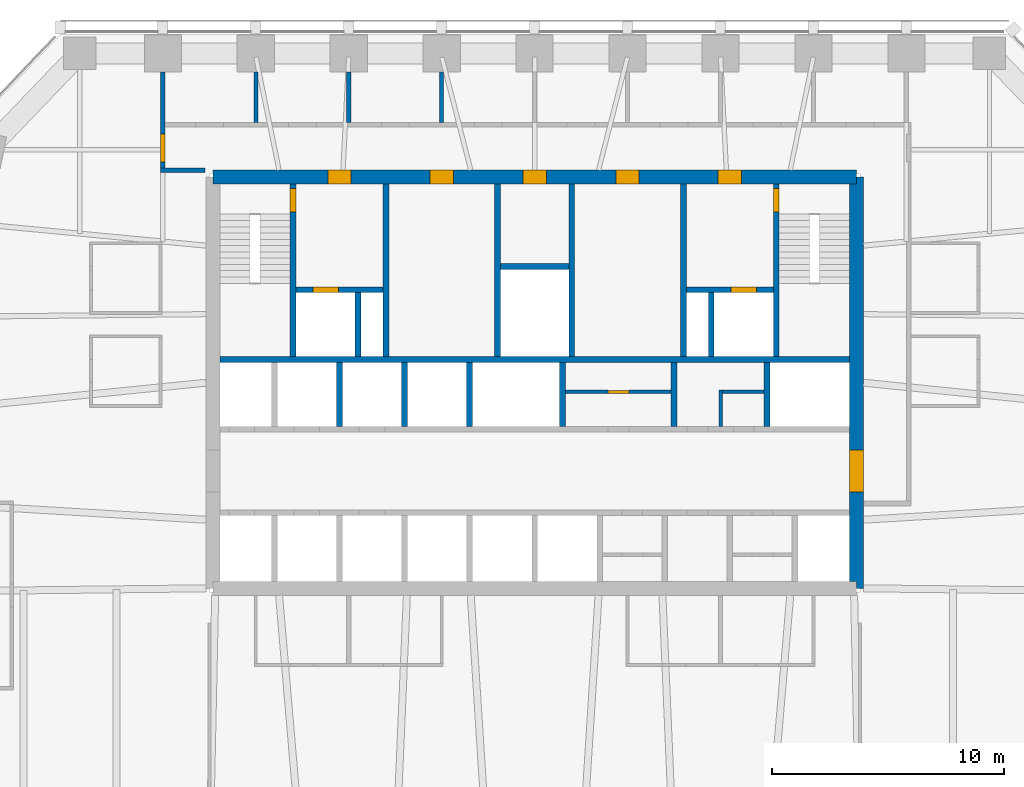
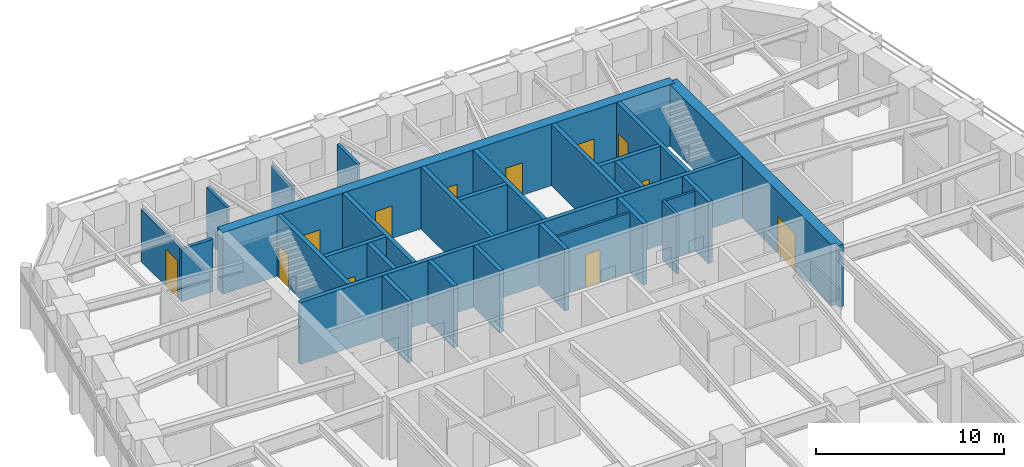
# One storey, part 7 of 10: 28 walls, 12 doors, 12 openings.
"""IFC4 building model written with IfcOpenShell, lengths in metres."""

from ifc_helpers import new_model, si_unit, direction, frame, frame_2d, origin, place, context, subcontext, project, spatial, polyline, rectangle, outline, extrude, material, layer, layer_set, type_object, element, fill, save


model = new_model("IFC4")

# Units and contexts
model_context = context("Model", 3, precision=1e-05, world=origin(), true_north=direction((0.0, 1.0)))
body_context = subcontext(model_context, "Body", "Model", "MODEL_VIEW")
ifc_project = project(units=[si_unit("LENGTHUNIT", "METRE"), si_unit("AREAUNIT", "SQUARE_METRE"), si_unit("VOLUMEUNIT", "CUBIC_METRE"), si_unit("PLANEANGLEUNIT", "RADIAN"), si_unit("MASSUNIT", "GRAM", prefix="KILO")], contexts=[model_context])

# Site, building, storey
site_placement = place(None, origin())
site = spatial("IfcSite", under=ifc_project, at=site_placement, CompositionType="ELEMENT")
building_placement = place(site_placement, origin())
building = spatial("IfcBuilding", under=site, at=building_placement, Name="Isbrekke Arena Tower", CompositionType="ELEMENT")
storey_placement = place(building_placement, frame((0.0, 0.0, 214.0)))
storey = spatial("IfcBuildingStorey", under=building, at=storey_placement, Name="L49", CompositionType="ELEMENT", Elevation=214.0)

# Wall, opening, door
ifc_material_1 = material(Name="Concrete B55 (C55/67)", Category="concrete")
ifc_layer_1 = layer(ifc_material_1, 0.60009765625)
ifc_layer_set_1 = layer_set([ifc_layer_1], Name="CW4 CORE WALL 600")
wall_type_1 = type_object("IfcWallType", Name="CW4 CORE WALL 600", PredefinedType="SHEAR", material=ifc_layer_set_1)
wall_1_placement = place(storey_placement, frame((13.85009765625, 6.14990234375, 0.0), z_axis=(0.0, 0.0, 1.0), x_axis=(0.0, 1.0, 0.0)))
wall_1 = element("IfcWall", 1, at=wall_1_placement, inside=storey, type_object=wall_type_1, Name="Core wall E L49", PredefinedType="SHEAR", context=body_context, shape_type="SweptSolid", body=[
    extrude(outline(polyline([(0.0, -0.300048828125), (17.7001953125, -0.300048828125), (17.7001953125, 0.0), (17.400146484375, 0.0), (17.400146484375, 0.300048828125), (0.300048828125, 0.300048828125), (0.300048828125, 0.0), (0.0, 0.0), (0.0, -0.300048828125)])), origin(), (0.0, 0.0, 1.0), 4.0),
])
opening_1_placement = place(wall_1_placement, frame((4.14990234375, 0.0, 0.0)))
opening_1 = element("IfcOpeningElement", 2, at=opening_1_placement, cuts=wall_1, Name="Opening D1", PredefinedType="OPENING", context=body_context, shape_type="SweptSolid", body=[
    extrude(rectangle(XDim=1.800048828125, YDim=2.39990234375, at=frame_2d((0.89990234375, 1.199951171875))), frame((0.0, 0.31494140625, 0.0), z_axis=(0.0, -1.0, 0.0), x_axis=(1.0, 0.0, 0.0)), (0.0, 0.0, 1.0), 0.6298828125),
])
ifc_material_2 = material(Name="Steel-framed glazed fire door", Category="steel")
door_type_1 = type_object("IfcDoorType", Name="D1 CORE LOBBY DOOR 1800 x 2400", OperationType="DOUBLE_DOOR_SINGLE_SWING", PredefinedType="DOOR", material=ifc_material_2)
door_1_placement = place(opening_1_placement, origin())
door_1 = element("IfcDoor", 3, at=door_1_placement, inside=storey, type_object=door_type_1, Name="D1 lift lobby door east L49", OperationType="DOUBLE_DOOR_SINGLE_SWING", OverallHeight=2.39990234375, OverallWidth=1.800048828125, PredefinedType="DOOR", context=body_context, shape_type="SweptSolid", body=[
    extrude(rectangle(XDim=1.800048828125, YDim=2.39990234375, at=frame_2d((0.89990234375, 1.199951171875))), frame((0.0, 0.2998046875, 0.0), z_axis=(0.0, -1.0, 0.0), x_axis=(1.0, 0.0, 0.0)), (0.0, 0.0, 1.0), 0.599609375),
])
fill(opening_1, door_1)

# Wall, openings, doors
wall_2_placement = place(storey_placement, frame((13.85009765625, 23.85009765625, 0.0), z_axis=(0.0, 0.0, 1.0), x_axis=(-1.0, 0.0, 0.0)))
wall_2 = element("IfcWall", 4, at=wall_2_placement, inside=storey, type_object=wall_type_1, Name="Core wall N L49", PredefinedType="SHEAR", context=body_context, shape_type="SweptSolid", body=[
    extrude(rectangle(XDim=27.7001953125, YDim=0.60009765625, at=frame_2d((13.85009765625, 0.0))), origin(), (0.0, 0.0, 1.0), 4.0),
])
opening_2_placement = place(wall_2_placement, frame((21.75, 0.0, 0.0)))
opening_2 = element("IfcOpeningElement", 5, at=opening_2_placement, cuts=wall_2, Name="Opening D3", PredefinedType="OPENING", context=body_context, shape_type="SweptSolid", body=[
    extrude(rectangle(XDim=1.0, YDim=2.10009765625, at=frame_2d((0.5, 1.050048828125))), frame((0.0, 0.31494140625, 0.0), z_axis=(0.0, -1.0, 0.0), x_axis=(1.0, 0.0, 0.0)), (0.0, 0.0, 1.0), 0.6298828125),
])
opening_3_placement = place(wall_2_placement, frame((4.949951171875, 0.0, 0.0)))
opening_3 = element("IfcOpeningElement", 6, at=opening_3_placement, cuts=wall_2, Name="Opening D3", PredefinedType="OPENING", context=body_context, shape_type="SweptSolid", body=[
    extrude(rectangle(XDim=1.0, YDim=2.10009765625, at=frame_2d((0.5, 1.050048828125))), frame((0.0, 0.31494140625, 0.0), z_axis=(0.0, -1.0, 0.0), x_axis=(1.0, 0.0, 0.0)), (0.0, 0.0, 1.0), 0.6298828125),
])
opening_4_placement = place(wall_2_placement, frame((17.35009765625, 0.0, 0.0)))
opening_4 = element("IfcOpeningElement", 7, at=opening_4_placement, cuts=wall_2, Name="Opening D4", PredefinedType="OPENING", context=body_context, shape_type="SweptSolid", body=[
    extrude(rectangle(XDim=1.0, YDim=2.10009765625, at=frame_2d((0.5, 1.050048828125))), frame((0.0, 0.31494140625, 0.0), z_axis=(0.0, -1.0, 0.0), x_axis=(1.0, 0.0, 0.0)), (0.0, 0.0, 1.0), 0.6298828125),
])
opening_5_placement = place(wall_2_placement, frame((13.35009765625, 0.0, 0.0)))
opening_5 = element("IfcOpeningElement", 8, at=opening_5_placement, cuts=wall_2, Name="Opening D4", PredefinedType="OPENING", context=body_context, shape_type="SweptSolid", body=[
    extrude(rectangle(XDim=1.0, YDim=2.10009765625, at=frame_2d((0.5, 1.050048828125))), frame((0.0, 0.31494140625, 0.0), z_axis=(0.0, -1.0, 0.0), x_axis=(1.0, 0.0, 0.0)), (0.0, 0.0, 1.0), 0.6298828125),
])
opening_6_placement = place(wall_2_placement, frame((9.35009765625, 0.0, 0.0)))
opening_6 = element("IfcOpeningElement", 9, at=opening_6_placement, cuts=wall_2, Name="Opening D4", PredefinedType="OPENING", context=body_context, shape_type="SweptSolid", body=[
    extrude(rectangle(XDim=1.0, YDim=2.10009765625, at=frame_2d((0.5, 1.050048828125))), frame((0.0, 0.31494140625, 0.0), z_axis=(0.0, -1.0, 0.0), x_axis=(1.0, 0.0, 0.0)), (0.0, 0.0, 1.0), 0.6298828125),
])
ifc_material_3 = material(Name="Steel fire door", Category="steel")
door_type_2 = type_object("IfcDoorType", Name="D3 FIRE LOBBY DOOR 1000 x 2100", OperationType="SINGLE_SWING_RIGHT", PredefinedType="DOOR", material=ifc_material_3)
door_2_placement = place(opening_2_placement, origin())
door_2 = element("IfcDoor", 10, at=door_2_placement, inside=storey, type_object=door_type_2, Name="D3 fire-fighting lobby door L49", OperationType="SINGLE_SWING_RIGHT", OverallHeight=2.10009765625, OverallWidth=1.0, PredefinedType="DOOR", context=body_context, shape_type="SweptSolid", body=[
    extrude(rectangle(XDim=1.0, YDim=2.10009765625, at=frame_2d((0.5, 1.050048828125))), frame((0.0, 0.2998046875, 0.0), z_axis=(0.0, -1.0, 0.0), x_axis=(1.0, 0.0, 0.0)), (0.0, 0.0, 1.0), 0.599609375),
])
fill(opening_2, door_2)
door_3_placement = place(opening_3_placement, origin())
door_3 = element("IfcDoor", 11, at=door_3_placement, inside=storey, type_object=door_type_2, Name="D3 fire-fighting lobby door L49", OperationType="SINGLE_SWING_RIGHT", OverallHeight=2.10009765625, OverallWidth=1.0, PredefinedType="DOOR", context=body_context, shape_type="SweptSolid", body=[
    extrude(rectangle(XDim=1.0, YDim=2.10009765625, at=frame_2d((0.5, 1.050048828125))), frame((0.0, 0.2998046875, 0.0), z_axis=(0.0, -1.0, 0.0), x_axis=(1.0, 0.0, 0.0)), (0.0, 0.0, 1.0), 0.599609375),
])
fill(opening_3, door_3)
ifc_material_4 = material(Name="Timber door", Category="wood")
door_type_3 = type_object("IfcDoorType", Name="D4 WC DOOR 1000 x 2100", OperationType="SINGLE_SWING_LEFT", PredefinedType="DOOR", material=ifc_material_4)
door_4_placement = place(opening_4_placement, origin())
door_4 = element("IfcDoor", 12, at=door_4_placement, inside=storey, type_object=door_type_3, Name="D4 wc female door L49", OperationType="SINGLE_SWING_LEFT", OverallHeight=2.10009765625, OverallWidth=1.0, PredefinedType="DOOR", context=body_context, shape_type="SweptSolid", body=[
    extrude(rectangle(XDim=1.0, YDim=2.10009765625, at=frame_2d((0.5, 1.050048828125))), frame((0.0, 0.2998046875, 0.0), z_axis=(0.0, -1.0, 0.0), x_axis=(1.0, 0.0, 0.0)), (0.0, 0.0, 1.0), 0.599609375),
])
fill(opening_4, door_4)
door_5_placement = place(opening_5_placement, origin())
door_5 = element("IfcDoor", 13, at=door_5_placement, inside=storey, type_object=door_type_3, Name="D4 accessible wc door L49", OperationType="SINGLE_SWING_LEFT", OverallHeight=2.10009765625, OverallWidth=1.0, PredefinedType="DOOR", context=body_context, shape_type="SweptSolid", body=[
    extrude(rectangle(XDim=1.0, YDim=2.10009765625, at=frame_2d((0.5, 1.050048828125))), frame((0.0, 0.2998046875, 0.0), z_axis=(0.0, -1.0, 0.0), x_axis=(1.0, 0.0, 0.0)), (0.0, 0.0, 1.0), 0.599609375),
])
fill(opening_5, door_5)
door_6_placement = place(opening_6_placement, origin())
door_6 = element("IfcDoor", 14, at=door_6_placement, inside=storey, type_object=door_type_3, Name="D4 wc male door L49", OperationType="SINGLE_SWING_LEFT", OverallHeight=2.10009765625, OverallWidth=1.0, PredefinedType="DOOR", context=body_context, shape_type="SweptSolid", body=[
    extrude(rectangle(XDim=1.0, YDim=2.10009765625, at=frame_2d((0.5, 1.050048828125))), frame((0.0, 0.2998046875, 0.0), z_axis=(0.0, -1.0, 0.0), x_axis=(1.0, 0.0, 0.0)), (0.0, 0.0, 1.0), 0.599609375),
])
fill(opening_6, door_6)

# Walls
ifc_material_5 = material(Name="Concrete B45 (C45/55)", Category="concrete")
ifc_layer_2 = layer(ifc_material_5, 0.25)
ifc_layer_set_2 = layer_set([ifc_layer_2], Name="CW6 SHAFT WALL 250")
wall_type_2 = type_object("IfcWallType", Name="CW6 SHAFT WALL 250", PredefinedType="SHEAR", material=ifc_layer_set_2)
wall_3_placement = place(storey_placement, frame((-13.550048828125, 16.0, 0.0), z_axis=(0.0, 0.0, 1.0), x_axis=(1.0, 0.0, 0.0)))
element("IfcWall", 15, at=wall_3_placement, inside=storey, type_object=wall_type_2, Name="Core wall NB L49", PredefinedType="SHEAR", context=body_context, shape_type="SweptSolid", body=[
    extrude(rectangle(XDim=27.10009765625, YDim=0.25, at=frame_2d((13.550048828125, 0.0))), origin(), (0.0, 0.0, 1.0), 4.0),
])
for number, where, z_axis, x_axis, name in (
    (16, (-8.39990234375, 13.125, 0.0), (0.0, 0.0, 1.0), (0.0, 1.0, 0.0), "Core wall SN02 L49"),
    (17, (-5.60009765625, 13.125, 0.0), (0.0, 0.0, 1.0), (0.0, 1.0, 0.0), "Core wall SN03 L49"),
    (18, (-2.800048828125, 13.125, 0.0), (0.0, 0.0, 1.0), (0.0, 1.0, 0.0), "Core wall SN04 L49"),
    (19, (1.199951171875, 13.125, 0.0), (0.0, 0.0, 1.0), (0.0, 1.0, 0.0), "Core wall SN05 L49"),
    (20, (6.0, 13.125, 0.0), (0.0, 0.0, 1.0), (0.0, 1.0, 0.0), "Core wall SN06 L49"),
    (21, (10.0, 13.125, 0.0), (0.0, 0.0, 1.0), (0.0, 1.0, 0.0), "Core wall SN07 L49"),
):
    element("IfcWall", number, at=place(storey_placement, frame(where, z_axis=z_axis, x_axis=x_axis)), inside=storey, type_object=wall_type_2, Name=name, PredefinedType="SHEAR", context=body_context, shape_type="SweptSolid", body=[
        extrude(rectangle(XDim=2.75, YDim=0.25, at=frame_2d((1.375, 0.0))), origin(), (0.0, 0.0, 1.0), 4.0),
    ])

# Wall, opening, door
wall_4_placement = place(storey_placement, frame((-10.39990234375, 16.125, 0.0), z_axis=(0.0, 0.0, 1.0), x_axis=(0.0, 1.0, 0.0)))
wall_4 = element("IfcWall", 22, at=wall_4_placement, inside=storey, type_object=wall_type_2, Name="Core wall NV01 L49", PredefinedType="SHEAR", context=body_context, shape_type="SweptSolid", body=[
    extrude(rectangle(XDim=7.425048828125, YDim=0.25, at=frame_2d((3.71240234375, 0.0))), origin(), (0.0, 0.0, 1.0), 4.0),
])
opening_7_placement = place(wall_4_placement, frame((6.22509765625, 0.0, 0.0)))
opening_7 = element("IfcOpeningElement", 23, at=opening_7_placement, cuts=wall_4, Name="Opening D2", PredefinedType="OPENING", context=body_context, shape_type="SweptSolid", body=[
    extrude(rectangle(XDim=1.0, YDim=2.10009765625, at=frame_2d((0.5, 1.050048828125))), frame((0.0, 0.139892578125, 0.0), z_axis=(0.0, -1.0, 0.0), x_axis=(1.0, 0.0, 0.0)), (0.0, 0.0, 1.0), 0.27978515625),
])
ifc_material_6 = material(Name="Steel fire door", Category="steel")
door_type_4 = type_object("IfcDoorType", Name="D2 STAIR DOOR 1000 x 2100", OperationType="SINGLE_SWING_LEFT", PredefinedType="DOOR", material=ifc_material_6)
door_7_placement = place(opening_7_placement, origin())
door_7 = element("IfcDoor", 24, at=door_7_placement, inside=storey, type_object=door_type_4, Name="D2 stair door ST1 L49", OperationType="SINGLE_SWING_LEFT", OverallHeight=2.10009765625, OverallWidth=1.0, PredefinedType="DOOR", context=body_context, shape_type="SweptSolid", body=[
    extrude(rectangle(XDim=1.0, YDim=2.10009765625, at=frame_2d((0.5, 1.050048828125))), frame((0.0, 0.124755859375, 0.0), z_axis=(0.0, -1.0, 0.0), x_axis=(1.0, 0.0, 0.0)), (0.0, 0.0, 1.0), 0.24951171875),
])
fill(opening_7, door_7)

# Walls
for number, where, z_axis, x_axis, name in (
    (25, (-6.39990234375, 16.125, 0.0), (0.0, 0.0, 1.0), (0.0, 1.0, 0.0), "Core wall NV02 L49"),
    (26, (-1.60009765625, 16.125, 0.0), (0.0, 0.0, 1.0), (0.0, 1.0, 0.0), "Core wall NV03 L49"),
    (27, (1.60009765625, 16.125, 0.0), (0.0, 0.0, 1.0), (0.0, 1.0, 0.0), "Core wall NV04 L49"),
    (28, (6.39990234375, 16.125, 0.0), (0.0, 0.0, 1.0), (0.0, 1.0, 0.0), "Core wall NV05 L49"),
):
    element("IfcWall", number, at=place(storey_placement, frame(where, z_axis=z_axis, x_axis=x_axis)), inside=storey, type_object=wall_type_2, Name=name, PredefinedType="SHEAR", context=body_context, shape_type="SweptSolid", body=[
        extrude(rectangle(XDim=7.425048828125, YDim=0.25, at=frame_2d((3.71240234375, 0.0))), origin(), (0.0, 0.0, 1.0), 4.0),
    ])

# Wall, opening, door
wall_5_placement = place(storey_placement, frame((10.39990234375, 16.125, 0.0), z_axis=(0.0, 0.0, 1.0), x_axis=(0.0, 1.0, 0.0)))
wall_5 = element("IfcWall", 29, at=wall_5_placement, inside=storey, type_object=wall_type_2, Name="Core wall NV06 L49", PredefinedType="SHEAR", context=body_context, shape_type="SweptSolid", body=[
    extrude(rectangle(XDim=7.425048828125, YDim=0.25, at=frame_2d((3.71240234375, 0.0))), origin(), (0.0, 0.0, 1.0), 4.0),
])
opening_8_placement = place(wall_5_placement, frame((6.22509765625, 0.0, 0.0)))
opening_8 = element("IfcOpeningElement", 30, at=opening_8_placement, cuts=wall_5, Name="Opening D2", PredefinedType="OPENING", context=body_context, shape_type="SweptSolid", body=[
    extrude(rectangle(XDim=1.0, YDim=2.10009765625, at=frame_2d((0.5, 1.050048828125))), frame((0.0, 0.139892578125, 0.0), z_axis=(0.0, -1.0, 0.0), x_axis=(1.0, 0.0, 0.0)), (0.0, 0.0, 1.0), 0.27978515625),
])
door_8_placement = place(opening_8_placement, origin())
door_8 = element("IfcDoor", 31, at=door_8_placement, inside=storey, type_object=door_type_4, Name="D2 stair door ST2 L49", OperationType="SINGLE_SWING_LEFT", OverallHeight=2.10009765625, OverallWidth=1.0, PredefinedType="DOOR", context=body_context, shape_type="SweptSolid", body=[
    extrude(rectangle(XDim=1.0, YDim=2.10009765625, at=frame_2d((0.5, 1.050048828125))), frame((0.0, 0.124755859375, 0.0), z_axis=(0.0, -1.0, 0.0), x_axis=(1.0, 0.0, 0.0)), (0.0, 0.0, 1.0), 0.24951171875),
])
fill(opening_8, door_8)

wall_6_placement = place(storey_placement, frame((-10.27490234375, 19.0, 0.0), z_axis=(0.0, 0.0, 1.0), x_axis=(1.0, 0.0, 0.0)))
wall_6 = element("IfcWall", 32, at=wall_6_placement, inside=storey, type_object=wall_type_2, Name="Core wall NFW L49", PredefinedType="SHEAR", context=body_context, shape_type="SweptSolid", body=[
    extrude(rectangle(XDim=3.75, YDim=0.25, at=frame_2d((1.875, 0.0))), origin(), (0.0, 0.0, 1.0), 4.0),
])
opening_9_placement = place(wall_6_placement, frame((0.72509765625, 0.0, 0.0)))
opening_9 = element("IfcOpeningElement", 33, at=opening_9_placement, cuts=wall_6, Name="Opening LD2", PredefinedType="OPENING", context=body_context, shape_type="SweptSolid", body=[
    extrude(rectangle(XDim=1.10009765625, YDim=2.10009765625, at=frame_2d((0.550048828125, 1.050048828125))), frame((0.0, 0.139892578125, 0.0), z_axis=(0.0, -1.0, 0.0), x_axis=(1.0, 0.0, 0.0)), (0.0, 0.0, 1.0), 0.27978515625),
])
ifc_material_7 = material(Name="Stainless steel lift landing door", Category="steel")
door_type_5 = type_object("IfcDoorType", Name="LD2 FIRE-FIGHTING LIFT LANDING DOOR 1100 x 2100", OperationType="SLIDING_TO_RIGHT", PredefinedType="DOOR", material=ifc_material_7)
door_9_placement = place(opening_9_placement, origin())
door_9 = element("IfcDoor", 34, at=door_9_placement, inside=storey, type_object=door_type_5, Name="LD2 lift landing door LF L49", OperationType="SLIDING_TO_RIGHT", OverallHeight=2.10009765625, OverallWidth=1.10009765625, PredefinedType="DOOR", context=body_context, shape_type="SweptSolid", body=[
    extrude(rectangle(XDim=1.10009765625, YDim=2.10009765625, at=frame_2d((0.550048828125, 1.050048828125))), frame((0.0, 0.124755859375, 0.0), z_axis=(0.0, -1.0, 0.0), x_axis=(1.0, 0.0, 0.0)), (0.0, 0.0, 1.0), 0.24951171875),
])
fill(opening_9, door_9)

wall_7_placement = place(storey_placement, frame((6.52490234375, 19.0, 0.0), z_axis=(0.0, 0.0, 1.0), x_axis=(1.0, 0.0, 0.0)))
wall_7 = element("IfcWall", 35, at=wall_7_placement, inside=storey, type_object=wall_type_2, Name="Core wall NFE L49", PredefinedType="SHEAR", context=body_context, shape_type="SweptSolid", body=[
    extrude(rectangle(XDim=3.75, YDim=0.25, at=frame_2d((1.875, 0.0))), origin(), (0.0, 0.0, 1.0), 4.0),
])
opening_10_placement = place(wall_7_placement, frame((1.925048828125, 0.0, 0.0)))
opening_10 = element("IfcOpeningElement", 36, at=opening_10_placement, cuts=wall_7, Name="Opening LD2", PredefinedType="OPENING", context=body_context, shape_type="SweptSolid", body=[
    extrude(rectangle(XDim=1.10009765625, YDim=2.10009765625, at=frame_2d((0.550048828125, 1.050048828125))), frame((0.0, 0.139892578125, 0.0), z_axis=(0.0, -1.0, 0.0), x_axis=(1.0, 0.0, 0.0)), (0.0, 0.0, 1.0), 0.27978515625),
])
door_10_placement = place(opening_10_placement, origin())
door_10 = element("IfcDoor", 37, at=door_10_placement, inside=storey, type_object=door_type_5, Name="LD2 lift landing door LF L49", OperationType="SLIDING_TO_RIGHT", OverallHeight=2.10009765625, OverallWidth=1.10009765625, PredefinedType="DOOR", context=body_context, shape_type="SweptSolid", body=[
    extrude(rectangle(XDim=1.10009765625, YDim=2.10009765625, at=frame_2d((0.550048828125, 1.050048828125))), frame((0.0, 0.124755859375, 0.0), z_axis=(0.0, -1.0, 0.0), x_axis=(1.0, 0.0, 0.0)), (0.0, 0.0, 1.0), 0.24951171875),
])
fill(opening_10, door_10)

# Walls
for number, where, z_axis, x_axis, name in (
    (38, (-7.60009765625, 16.125, 0.0), (0.0, 0.0, 1.0), (0.0, 1.0, 0.0), "Core wall NFS1 L49"),
    (39, (7.60009765625, 16.125, 0.0), (0.0, 0.0, 1.0), (0.0, 1.0, 0.0), "Core wall NFS2 L49"),
):
    element("IfcWall", number, at=place(storey_placement, frame(where, z_axis=z_axis, x_axis=x_axis)), inside=storey, type_object=wall_type_2, Name=name, PredefinedType="SHEAR", context=body_context, shape_type="SweptSolid", body=[
        extrude(rectangle(XDim=2.75, YDim=0.25, at=frame_2d((1.375, 0.0))), origin(), (0.0, 0.0, 1.0), 4.0),
    ])
wall_8_placement = place(storey_placement, frame((-1.47509765625, 20.0, 0.0), z_axis=(0.0, 0.0, 1.0), x_axis=(1.0, 0.0, 0.0)))
element("IfcWall", 40, at=wall_8_placement, inside=storey, type_object=wall_type_2, Name="Core wall NWC L49", PredefinedType="SHEAR", context=body_context, shape_type="SweptSolid", body=[
    extrude(rectangle(XDim=2.9501953125, YDim=0.25, at=frame_2d((1.47509765625, 0.0))), origin(), (0.0, 0.0, 1.0), 4.0),
])
ifc_material_8 = material(Name="Gypsum board fire-cell wall on steel studs, two layers each side", Category="steel")
ifc_layer_3 = layer(ifc_material_8, 0.199951171875)
ifc_layer_set_3 = layer_set([ifc_layer_3], Name="IW3 FIRE-CELL WALL 200")
wall_type_3 = type_object("IfcWallType", Name="IW3 FIRE-CELL WALL 200", PredefinedType="PARTITIONING", material=ifc_layer_set_3)
wall_9_placement = place(storey_placement, frame((-16.10009765625, 24.14990234375, 0.0), z_axis=(0.0, 0.0, 1.0), x_axis=(1.0, 0.0, 0.0)))
element("IfcWall", 41, at=wall_9_placement, inside=storey, type_object=wall_type_3, Name="IW3 fire-cell wall 200 L49", PredefinedType="PARTITIONING", context=body_context, shape_type="SweptSolid", body=[
    extrude(rectangle(XDim=1.920166015625, YDim=0.199951171875, at=frame_2d((0.9599609375, 0.0))), origin(), (0.0, 0.0, 1.0), 3.39990234375),
])

# Wall, opening, door
wall_10_placement = place(storey_placement, frame((-16.0, 24.25, 0.0), z_axis=(0.0, 0.0, 1.0), x_axis=(0.0, 1.0, 0.0)))
wall_10 = element("IfcWall", 42, at=wall_10_placement, inside=storey, type_object=wall_type_3, Name="IW3 fire-cell wall 200 L49", PredefinedType="PARTITIONING", context=body_context, shape_type="SweptSolid", body=[
    extrude(rectangle(XDim=4.125, YDim=0.199951171875, at=frame_2d((2.0625, 0.0))), origin(), (0.0, 0.0, 1.0), 3.39990234375),
])
opening_11_placement = place(wall_10_placement, frame((0.25, 0.0, 0.0)))
opening_11 = element("IfcOpeningElement", 43, at=opening_11_placement, cuts=wall_10, Name="Opening D12", PredefinedType="OPENING", context=body_context, shape_type="SweptSolid", body=[
    extrude(rectangle(XDim=1.199951171875, YDim=2.39990234375, at=frame_2d((0.60009765625, 1.199951171875))), frame((0.0, 0.11474609375, 0.0), z_axis=(0.0, -1.0, 0.0), x_axis=(1.0, 0.0, 0.0)), (0.0, 0.0, 1.0), 0.229736328125),
])
ifc_material_9 = material(Name="Timber fire door with vision panel", Category="wood")
door_type_6 = type_object("IfcDoorType", Name="D12 SUITE ENTRANCE DOOR 1200 x 2400", OperationType="SINGLE_SWING_LEFT", PredefinedType="DOOR", material=ifc_material_9)
door_11_placement = place(opening_11_placement, origin())
door_11 = element("IfcDoor", 44, at=door_11_placement, inside=storey, type_object=door_type_6, Name="D12 suite entrance A door L49", OperationType="SINGLE_SWING_LEFT", OverallHeight=2.39990234375, OverallWidth=1.199951171875, PredefinedType="DOOR", context=body_context, shape_type="SweptSolid", body=[
    extrude(rectangle(XDim=1.199951171875, YDim=2.39990234375, at=frame_2d((0.60009765625, 1.199951171875))), frame((0.0, 0.099609375, 0.0), z_axis=(0.0, -1.0, 0.0), x_axis=(1.0, 0.0, 0.0)), (0.0, 0.0, 1.0), 0.199462890625),
])
fill(opening_11, door_11)

# Walls
ifc_material_10 = material(Name="Gypsum board acoustic partition on twin steel studs", Category="steel")
ifc_layer_4 = layer(ifc_material_10, 0.175048828125)
ifc_layer_set_4 = layer_set([ifc_layer_4], Name="IW4 ACOUSTIC PARTITION 175")
wall_type_4 = type_object("IfcWallType", Name="IW4 ACOUSTIC PARTITION 175", PredefinedType="PARTITIONING", material=ifc_layer_set_4)
for number, where, z_axis, x_axis, name in (
    (45, (-12.0, 26.199951171875, 0.0), (0.0, 0.0, 1.0), (0.0, 1.0, 0.0), "IW4 acoustic partition 175 L49"),
    (46, (-8.0, 26.199951171875, 0.0), (0.0, 0.0, 1.0), (0.0, 1.0, 0.0), "IW4 acoustic partition 175 L49"),
    (47, (-4.0, 26.199951171875, 0.0), (0.0, 0.0, 1.0), (0.0, 1.0, 0.0), "IW4 acoustic partition 175 L49"),
):
    element("IfcWall", number, at=place(storey_placement, frame(where, z_axis=z_axis, x_axis=x_axis)), inside=storey, type_object=wall_type_4, Name=name, PredefinedType="PARTITIONING", context=body_context, shape_type="SweptSolid", body=[
        extrude(rectangle(XDim=2.175048828125, YDim=0.175048828125, at=frame_2d((1.08740234375, 0.0))), origin(), (0.0, 0.0, 1.0), 3.39990234375),
    ])

# Wall, opening, door
ifc_material_11 = material(Name="Gypsum board fire-rated partition on steel studs, two layers each side", Category="steel")
ifc_layer_5 = layer(ifc_material_11, 0.14990234375)
ifc_layer_set_5 = layer_set([ifc_layer_5], Name="IW5 FIRE-RATED PARTITION 150")
wall_type_5 = type_object("IfcWallType", Name="IW5 FIRE-RATED PARTITION 150", PredefinedType="PARTITIONING", material=ifc_layer_set_5)
wall_11_placement = place(storey_placement, frame((1.324951171875, 14.60009765625, 0.0), z_axis=(0.0, 0.0, 1.0), x_axis=(1.0, 0.0, 0.0)))
wall_11 = element("IfcWall", 48, at=wall_11_placement, inside=storey, type_object=wall_type_5, Name="IW5 fire-rated partition L49 core service rooms 1", PredefinedType="PARTITIONING", context=body_context, shape_type="SweptSolid", body=[
    extrude(rectangle(XDim=4.550048828125, YDim=0.14990234375, at=frame_2d((2.27490234375, 0.0))), origin(), (0.0, 0.0, 1.0), 3.85009765625),
])
opening_12_placement = place(wall_11_placement, frame((1.824951171875, 0.0, 0.0)))
opening_12 = element("IfcOpeningElement", 49, at=opening_12_placement, cuts=wall_11, Name="Opening D5", PredefinedType="OPENING", context=body_context, shape_type="SweptSolid", body=[
    extrude(rectangle(XDim=0.89990234375, YDim=2.10009765625, at=frame_2d((0.449951171875, 1.050048828125))), frame((0.0, 0.08984375, 0.0), z_axis=(0.0, -1.0, 0.0), x_axis=(1.0, 0.0, 0.0)), (0.0, 0.0, 1.0), 0.1796875),
])
ifc_material_12 = material(Name="Steel fire door", Category="steel")
door_type_7 = type_object("IfcDoorType", Name="D5 SERVICE DOOR 900 x 2100", OperationType="SINGLE_SWING_LEFT", PredefinedType="DOOR", material=ifc_material_12)
door_12_placement = place(opening_12_placement, origin())
door_12 = element("IfcDoor", 50, at=door_12_placement, inside=storey, type_object=door_type_7, Name="D5 tenant store door L49", OperationType="SINGLE_SWING_LEFT", OverallHeight=2.10009765625, OverallWidth=0.89990234375, PredefinedType="DOOR", context=body_context, shape_type="SweptSolid", body=[
    extrude(rectangle(XDim=0.89990234375, YDim=2.10009765625, at=frame_2d((0.449951171875, 1.050048828125))), frame((0.0, 0.07470703125, 0.0), z_axis=(0.0, -1.0, 0.0), x_axis=(1.0, 0.0, 0.0)), (0.0, 0.0, 1.0), 0.1494140625),
])
fill(opening_12, door_12)

# Walls
wall_12_placement = place(storey_placement, frame((8.0, 13.125, 0.0), z_axis=(0.0, 0.0, 1.0), x_axis=(0.0, 1.0, 0.0)))
element("IfcWall", 51, at=wall_12_placement, inside=storey, type_object=wall_type_5, Name="IW5 fire-rated partition L49 core service rooms 2", PredefinedType="PARTITIONING", context=body_context, shape_type="SweptSolid", body=[
    extrude(rectangle(XDim=1.550048828125, YDim=0.14990234375, at=frame_2d((0.77490234375, 0.0))), origin(), (0.0, 0.0, 1.0), 3.85009765625),
])
wall_13_placement = place(storey_placement, frame((8.074951171875, 14.60009765625, 0.0), z_axis=(0.0, 0.0, 1.0), x_axis=(1.0, 0.0, 0.0)))
element("IfcWall", 52, at=wall_13_placement, inside=storey, type_object=wall_type_5, Name="IW5 fire-rated partition L49 core service rooms 3", PredefinedType="PARTITIONING", context=body_context, shape_type="SweptSolid", body=[
    extrude(rectangle(XDim=1.800048828125, YDim=0.14990234375, at=frame_2d((0.89990234375, 0.0))), origin(), (0.0, 0.0, 1.0), 3.85009765625),
])

save(model, "model.ifc")
